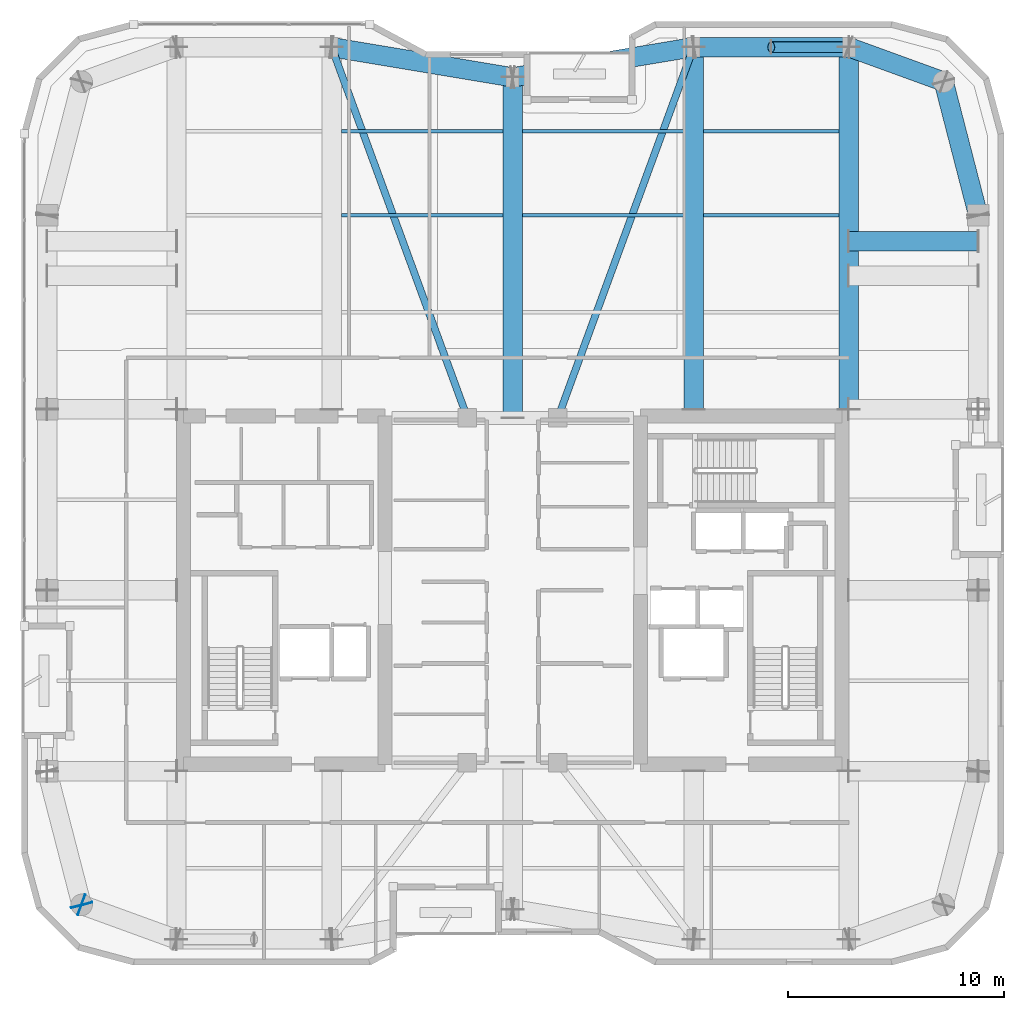
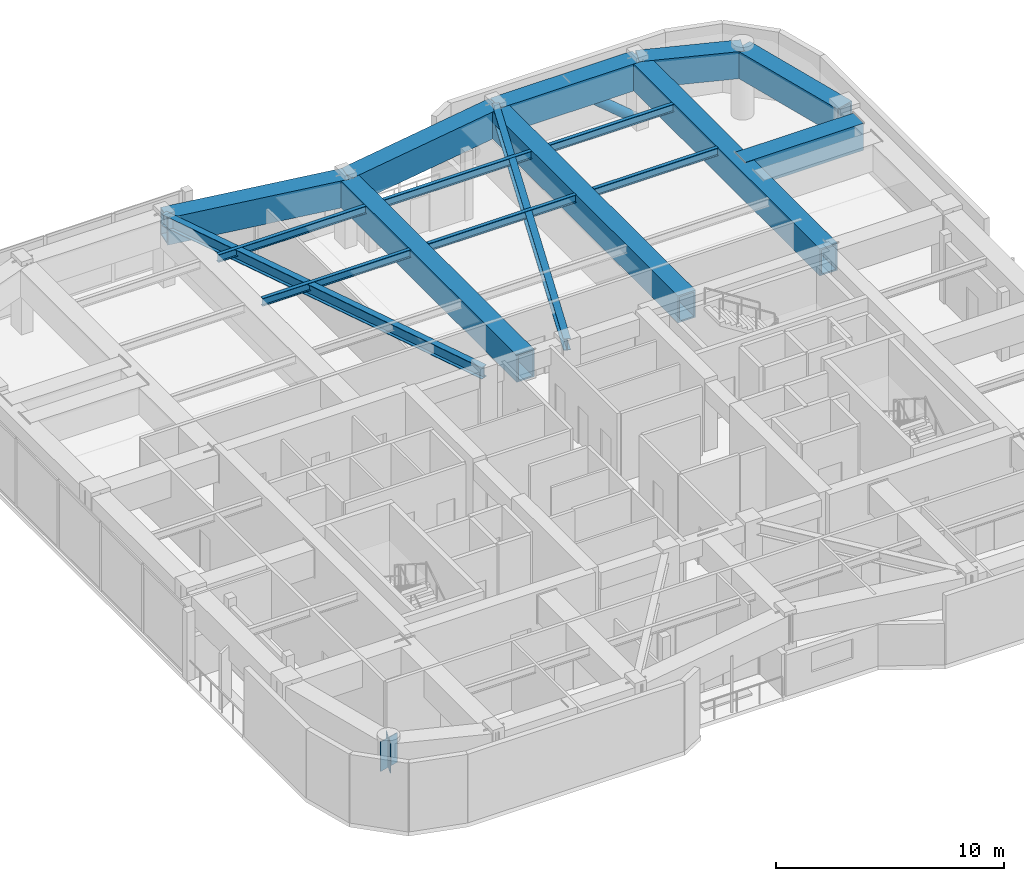
# One storey, part 11 of 21: 17 beams, 2 plates, 1 member.
"""IFC4 building model written with IfcOpenShell, lengths in metres."""

from ifc_helpers import new_model, si_unit, direction, frame, origin, origin_2d, place, context, subcontext, project, spatial, rectangle, hollow_rectangle, hollow_circle, i_section, extrude, material, layer, layer_set, material_profile, profile_set, type_object, element, save


model = new_model("IFC4")

# Units and contexts
model_context = context("Model", 3, precision=1e-05, world=origin(), true_north=direction((0.0, 1.0)))
body_context = subcontext(model_context, "Body", "Model", "MODEL_VIEW")
ifc_project = project(units=[si_unit("LENGTHUNIT", "METRE"), si_unit("AREAUNIT", "SQUARE_METRE"), si_unit("VOLUMEUNIT", "CUBIC_METRE"), si_unit("PLANEANGLEUNIT", "RADIAN"), si_unit("MASSUNIT", "GRAM", prefix="KILO")], contexts=[model_context])

# Site, building, storey
site_placement = place(None, origin())
site = spatial("IfcSite", under=ifc_project, at=site_placement, CompositionType="ELEMENT")
building_placement = place(site_placement, origin())
building = spatial("IfcBuilding", under=site, at=building_placement, Name="Kiyonajd Concourse Tower", CompositionType="ELEMENT")
storey_placement = place(building_placement, frame((0.0, 0.0, 251.10009765625)))
storey = spatial("IfcBuildingStorey", under=building, at=storey_placement, Name="L63", CompositionType="ELEMENT", Elevation=251.10009765625)

# Beams
ifc_material_1 = material(Name="Steel ASTM A992 Grade 50", Category="steel")
ifc_material_profile_1 = material_profile(ifc_material_1, i_section(OverallWidth=0.180908203125, OverallDepth=0.4169921875, WebThickness=0.010986328125, FlangeThickness=0.018310546875, at=origin_2d()), Name="W410X85")
ifc_profile_set_1 = profile_set([ifc_material_profile_1], Name="Steel ASTM A992 Grade 50")
beam_type_1 = type_object("IfcBeamType", Name="BM-JST-410", PredefinedType="JOIST", material=ifc_profile_set_1)
for number, where, z_axis, x_axis, name in (
    (1, (40.050048828125, 53.39990234375, 3.471435546875), (1.0, 0.0, 0.0), (0.0, 1.0, 0.0), "L63 Secondary Floor Joist"),
    (2, (48.449951171875, 53.39990234375, 3.471435546875), (1.0, 0.0, 0.0), (0.0, 1.0, 0.0), "L63 Secondary Floor Joist"),
):
    element("IfcBeam", number, at=place(storey_placement, frame(where, z_axis=z_axis, x_axis=x_axis)), inside=storey, type_object=beam_type_1, Name=name, PredefinedType="JOIST", context=body_context, shape_type="SweptSolid", body=[
        extrude(i_section(OverallWidth=0.180908203125, OverallDepth=0.4169921875, WebThickness=0.010986328125, FlangeThickness=0.018310546875, at=origin_2d()), origin(), (0.0, 0.0, 1.0), 7.5),
    ])
beam_1_placement = place(storey_placement, frame((56.85009765625, 53.39990234375, 3.471435546875), z_axis=(1.0, 0.0, 0.0), x_axis=(0.0, 1.0, 0.0)))
element("IfcBeam", 3, at=beam_1_placement, inside=storey, type_object=beam_type_1, Name="L63 Secondary Floor Joist", PredefinedType="JOIST", context=body_context, shape_type="SweptSolid", body=[
    extrude(i_section(OverallWidth=0.180908203125, OverallDepth=0.4169921875, WebThickness=0.010986328125, FlangeThickness=0.018310546875, at=origin_2d()), origin(), (0.0, 0.0, 1.0), 6.2998046875),
])
for number, where, z_axis, x_axis, name in (
    (4, (40.050048828125, 57.300048828125, 3.451416015625), (1.0, 0.0, 0.0), (0.0, 1.0, 0.0), "L63 Secondary Floor Joist"),
    (5, (48.449951171875, 57.300048828125, 3.451416015625), (1.0, 0.0, 0.0), (0.0, 1.0, 0.0), "L63 Secondary Floor Joist"),
):
    element("IfcBeam", number, at=place(storey_placement, frame(where, z_axis=z_axis, x_axis=x_axis)), inside=storey, type_object=beam_type_1, Name=name, PredefinedType="JOIST", context=body_context, shape_type="SweptSolid", body=[
        extrude(i_section(OverallWidth=0.180908203125, OverallDepth=0.4169921875, WebThickness=0.010986328125, FlangeThickness=0.018310546875, at=origin_2d()), origin(), (0.0, 0.0, 1.0), 7.5),
    ])
beam_2_placement = place(storey_placement, frame((56.85009765625, 57.300048828125, 3.451416015625), z_axis=(1.0, 0.0, 0.0), x_axis=(0.0, 1.0, 0.0)))
element("IfcBeam", 6, at=beam_2_placement, inside=storey, type_object=beam_type_1, Name="L63 Secondary Floor Joist", PredefinedType="JOIST", context=body_context, shape_type="SweptSolid", body=[
    extrude(i_section(OverallWidth=0.180908203125, OverallDepth=0.4169921875, WebThickness=0.010986328125, FlangeThickness=0.018310546875, at=origin_2d()), origin(), (0.0, 0.0, 1.0), 6.2998046875),
])
ifc_material_profile_2 = material_profile(ifc_material_1, i_section(OverallWidth=0.326904296875, OverallDepth=0.6220703125, WebThickness=0.015380859375, FlangeThickness=0.0244140625, at=origin_2d()), Name="W610X195")
ifc_profile_set_2 = profile_set([ifc_material_profile_2], Name="Steel ASTM A992 Grade 50")
beam_type_2 = type_object("IfcBeamType", Name="BM-TWR-610A", PredefinedType="BEAM", material=ifc_profile_set_2)
for number, where, z_axis, x_axis, name in (
    (7, (39.60009765625, 61.199951171875, 3.348876953125), (0.343925269715, -0.938997022813, 0.0), (0.938997022813, 0.343925269715, 0.0), "L63 Core Tie Girder"),
    (8, (50.10009765625, 44.0, 3.348876953125), (0.343925269715, 0.938997022813, 0.0), (-0.938997022813, 0.343925269715, 0.0), "L63 Core Tie Girder"),
):
    element("IfcBeam", number, at=place(storey_placement, frame(where, z_axis=z_axis, x_axis=x_axis)), inside=storey, type_object=beam_type_2, Name=name, PredefinedType="BEAM", context=body_context, shape_type="SweptSolid", body=[
        extrude(i_section(OverallWidth=0.326904296875, OverallDepth=0.6220703125, WebThickness=0.015380859375, FlangeThickness=0.0244140625, at=origin_2d()), origin(), (0.0, 0.0, 1.0), 18.3173828125),
    ])
ifc_material_2 = material(Name="Steel ASTM A572 Grade 50", Category="steel")
ifc_material_profile_3 = material_profile(ifc_material_2, hollow_rectangle(XDim=0.89990234375, YDim=1.449951171875, WallThickness=0.074951171875, at=origin_2d()), Name="BOX-1450x900x75")
ifc_profile_set_3 = profile_set([ifc_material_profile_3], Name="Steel ASTM A572 Grade 50")
beam_type_3 = type_object("IfcBeamType", Name="BM-XFER-1800", PredefinedType="BEAM", material=ifc_profile_set_3)
beam_3_placement = place(storey_placement, frame((63.60009765625, 52.199951171875, 2.954833984375), z_axis=(1.0, 0.0, 0.0), x_axis=(0.0, 1.0, 0.0)))
element("IfcBeam", 9, at=beam_3_placement, inside=storey, type_object=beam_type_3, Name="L63 North Setback Transfer Girder 5", PredefinedType="BEAM", context=body_context, shape_type="SweptSolid", body=[
    extrude(hollow_rectangle(XDim=0.89990234375, YDim=1.449951171875, WallThickness=0.074951171875, at=origin_2d()), origin(), (0.0, 0.0, 1.0), 6.0),
])
beam_4_placement = place(storey_placement, frame((69.60009765625, 53.39990234375, 2.934814453125), z_axis=(-0.249884937687, 0.968275538221, 0.0), x_axis=(-0.968275538221, -0.249884937687, 0.0)))
element("IfcBeam", 10, at=beam_4_placement, inside=storey, type_object=beam_type_3, Name="L63 Perimeter Bundled Tube Spandrel", PredefinedType="BEAM", context=body_context, shape_type="SweptSolid", body=[
    extrude(hollow_rectangle(XDim=0.89990234375, YDim=1.449951171875, WallThickness=0.074951171875, at=origin_2d()), origin(), (0.0, 0.0, 1.0), 6.4033203125),
])
beam_5_placement = place(storey_placement, frame((68.0, 59.60009765625, 2.934814453125), z_axis=(-0.939801036019, 0.341722127901, 0.0), x_axis=(-0.341722127901, -0.939801036019, 0.0)))
element("IfcBeam", 11, at=beam_5_placement, inside=storey, type_object=beam_type_3, Name="L63 Perimeter Bundled Tube Spandrel", PredefinedType="BEAM", context=body_context, shape_type="SweptSolid", body=[
    extrude(hollow_rectangle(XDim=0.89990234375, YDim=1.449951171875, WallThickness=0.074951171875, at=origin_2d()), origin(), (0.0, 0.0, 1.0), 4.681640625),
])
beam_6_placement = place(storey_placement, frame((63.60009765625, 61.199951171875, 2.934814453125), z_axis=(-1.0, 0.0, 0.0), x_axis=(0.0, -1.0, 0.0)))
element("IfcBeam", 12, at=beam_6_placement, inside=storey, type_object=beam_type_3, Name="L63 Perimeter Bundled Tube Spandrel", PredefinedType="BEAM", context=body_context, shape_type="SweptSolid", body=[
    extrude(hollow_rectangle(XDim=0.89990234375, YDim=1.449951171875, WallThickness=0.074951171875, at=origin_2d()), origin(), (0.0, 0.0, 1.0), 7.2001953125),
])
for number, where, z_axis, x_axis, name in (
    (13, (56.39990234375, 61.199951171875, 2.934814453125), (-0.986395473479, -0.164389689151, 0.0), (0.164389689151, -0.986395473479, 0.0), "L63 Perimeter Bundled Tube Spandrel"),
    (14, (48.0, 59.800048828125, 2.934814453125), (-0.986395473479, 0.164389689151, 0.0), (-0.164389689151, -0.986395473479, 0.0), "L63 Perimeter Bundled Tube Spandrel"),
):
    element("IfcBeam", number, at=place(storey_placement, frame(where, z_axis=z_axis, x_axis=x_axis)), inside=storey, type_object=beam_type_3, Name=name, PredefinedType="BEAM", context=body_context, shape_type="SweptSolid", body=[
        extrude(hollow_rectangle(XDim=0.89990234375, YDim=1.449951171875, WallThickness=0.074951171875, at=origin_2d()), origin(), (0.0, 0.0, 1.0), 8.515869140625),
    ])
for number, where, z_axis, x_axis, name in (
    (15, (56.39990234375, 44.39990234375, 2.934814453125), (0.0, 1.0, 0.0), (-1.0, 0.0, 0.0), "L63 North Lease Girder"),
    (16, (63.60009765625, 44.39990234375, 2.934814453125), (0.0, 1.0, 0.0), (-1.0, 0.0, 0.0), "L63 North Lease Girder"),
):
    element("IfcBeam", number, at=place(storey_placement, frame(where, z_axis=z_axis, x_axis=x_axis)), inside=storey, type_object=beam_type_3, Name=name, PredefinedType="BEAM", context=body_context, shape_type="SweptSolid", body=[
        extrude(hollow_rectangle(XDim=0.89990234375, YDim=1.449951171875, WallThickness=0.074951171875, at=origin_2d()), origin(), (0.0, 0.0, 1.0), 16.800048828125),
    ])
beam_7_placement = place(storey_placement, frame((48.0, 44.0, 2.934814453125), z_axis=(0.0, 1.0, 0.0), x_axis=(-1.0, 0.0, 0.0)))
element("IfcBeam", 17, at=beam_7_placement, inside=storey, type_object=beam_type_3, Name="L63 North Ribbon Girder", PredefinedType="BEAM", context=body_context, shape_type="SweptSolid", body=[
    extrude(hollow_rectangle(XDim=0.89990234375, YDim=1.449951171875, WallThickness=0.074951171875, at=origin_2d()), origin(), (0.0, 0.0, 1.0), 15.800048828125),
])

# Member
ifc_material_3 = material(Name="Steel ASTM A500 Grade C", Category="steel")
ifc_material_profile_4 = material_profile(ifc_material_3, hollow_circle(Radius=0.25390625, WallThickness=0.02197265625, at=origin_2d()), Name="CHS-508x22")
ifc_profile_set_4 = profile_set([ifc_material_profile_4], Name="Steel ASTM A500 Grade C")
member_type = type_object("IfcMemberType", Name="MB-PB-MID", PredefinedType="BRACE", material=ifc_profile_set_4)
member_placement = place(storey_placement, frame((63.60009765625, 61.199951171875, 0.2998046875), z_axis=(-0.765082043761, 0.0, 0.643932811957), x_axis=(0.0, -1.0, 0.0)))
element("IfcMember", 18, at=member_placement, inside=storey, type_object=member_type, Name="L63 Upper Zone Hollow Tube Brace PBN", PredefinedType="BRACE", context=body_context, shape_type="SweptSolid", body=[
    extrude(hollow_circle(Radius=0.25390625, WallThickness=0.02197265625, at=origin_2d()), origin(), (0.0, 0.0, 1.0), 4.70556640625),
])

# Plates
ifc_layer = layer(ifc_material_2, 0.031982421875)
ifc_layer_set = layer_set([ifc_layer], Name="Steel ASTM A572 Grade 50")
plate_type = type_object("IfcPlateType", Name="PL-CAP-540", PredefinedType="USERDEFINED", material=ifc_layer_set)
for number, where, z_axis, x_axis, name in (
    (19, (28.002685546875, 21.389404296875, 2.15966796875), (0.0, 0.0, 1.0), (0.249873048837, -0.968278606324, 0.0), "L63 Welded Box Girder End Cap"),
    (20, (27.98974609375, 21.40380859375, 2.15966796875), (0.0, 0.0, 1.0), (-0.939811951086, 0.341692107891, 0.0), "L63 Welded Box Girder End Cap"),
):
    element("IfcPlate", number, at=place(storey_placement, frame(where, z_axis=z_axis, x_axis=x_axis)), inside=storey, type_object=plate_type, Name=name, ObjectType="CAP PLATE", PredefinedType="USERDEFINED", context=body_context, shape_type="SweptSolid", body=[
        extrude(rectangle(XDim=0.035888671875, YDim=1.02001953125, at=origin_2d()), origin(), (0.0, 0.0, 1.0), 1.590087890625),
    ])

save(model, "model.ifc")
